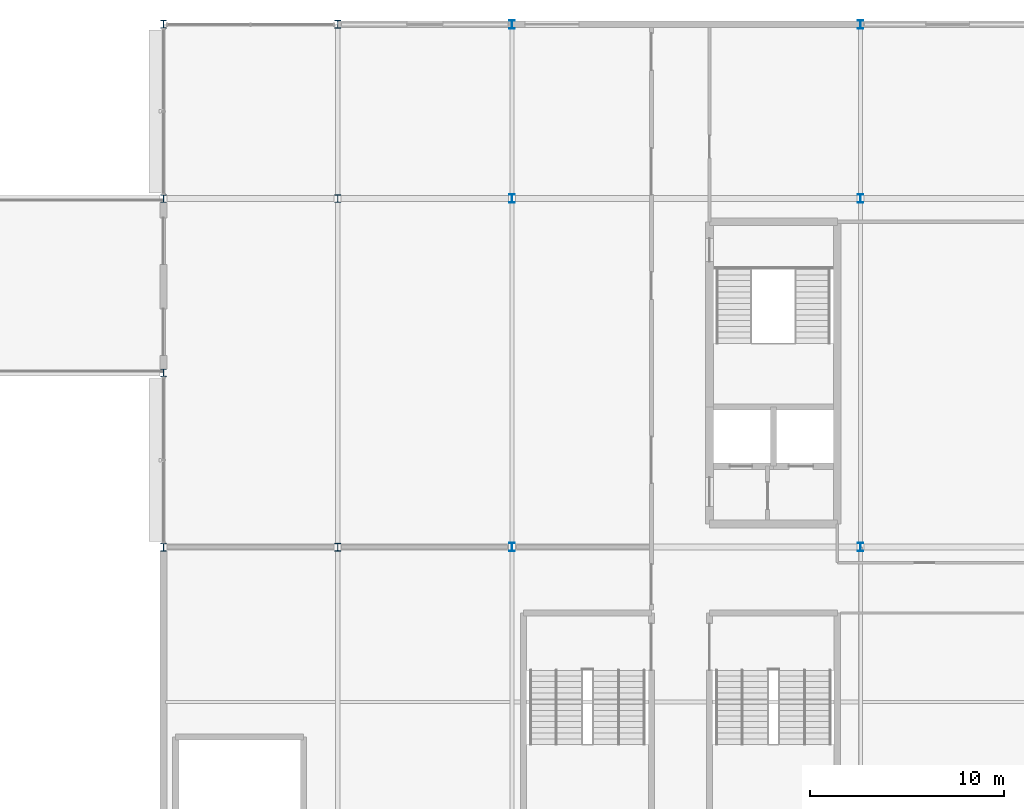
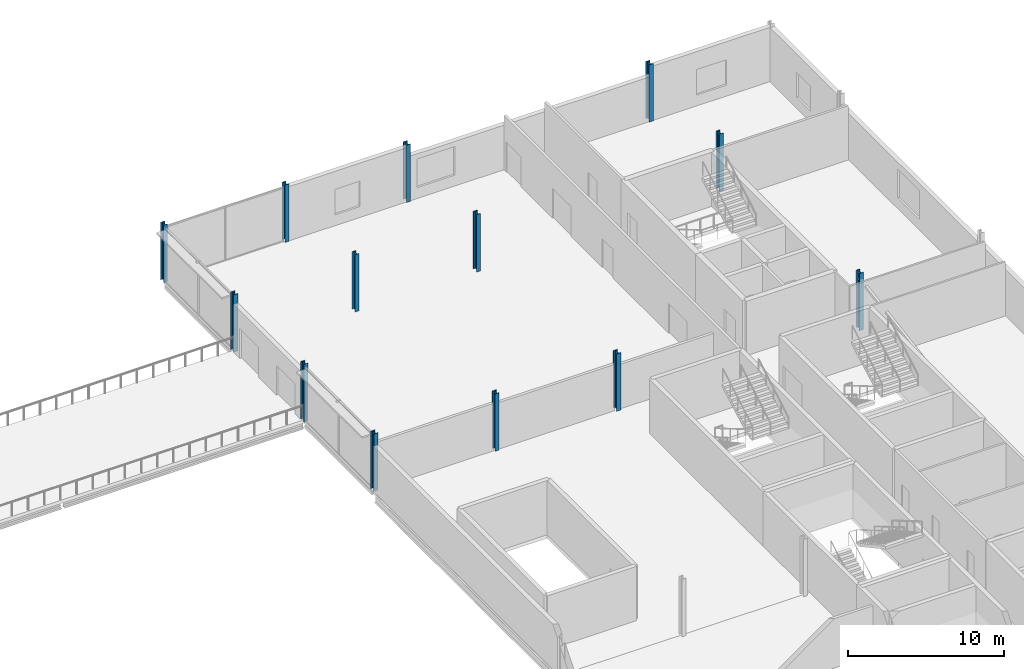
# One storey, part 12 of 73: 13 columns.
"""IFC4 building model written with IfcOpenShell, lengths in metres."""

from ifc_helpers import new_model, si_unit, direction, frame, origin, origin_2d, place, context, subcontext, project, spatial, i_section, extrude, material, material_profile, profile_set, type_object, element, save


model = new_model("IFC4")

# Units and contexts
model_context = context("Model", 3, precision=1e-05, world=origin(), true_north=direction((0.0, 1.0)))
body_context = subcontext(model_context, "Body", "Model", "MODEL_VIEW")
ifc_project = project(units=[si_unit("LENGTHUNIT", "METRE"), si_unit("AREAUNIT", "SQUARE_METRE"), si_unit("VOLUMEUNIT", "CUBIC_METRE"), si_unit("PLANEANGLEUNIT", "RADIAN"), si_unit("MASSUNIT", "GRAM", prefix="KILO")], contexts=[model_context])

# Site, building, storey
site_placement = place(None, origin())
site = spatial("IfcSite", under=ifc_project, at=site_placement, CompositionType="ELEMENT")
building_placement = place(site_placement, origin())
building = spatial("IfcBuilding", under=site, at=building_placement, Name="Kisiwana Market Hall", CompositionType="ELEMENT")
storey_placement = place(building_placement, frame((0.0, 0.0, 33.300048828125)))
storey = spatial("IfcBuildingStorey", under=building, at=storey_placement, Name="L07", CompositionType="ELEMENT", Elevation=33.300048828125)

# Columns
ifc_material_1 = material(Name="Steel S355", Category="steel")
ifc_material_profile_1 = material_profile(ifc_material_1, i_section(OverallWidth=0.300048828125, OverallDepth=0.39990234375, WebThickness=0.013427734375, FlangeThickness=0.02392578125, FilletRadius=0.027099609375, at=origin_2d()), Name="HEB 400")
ifc_profile_set_1 = profile_set([ifc_material_profile_1], Name="Steel S355")
column_type_1 = type_object("IfcColumnType", Name="COL-STL-HEB400", PredefinedType="COLUMN", material=ifc_profile_set_1)
for number, where, z_axis, x_axis, name in (
    (1, (153.0, 84.0, 0.0), (0.0, 0.0, 1.0), (1.0, 0.0, 0.0), "Column L/18 (L07) C-1120"),
    (2, (153.0, 93.0, 0.0), (0.0, 0.0, 1.0), (1.0, 0.0, 0.0), "Column M/18 (L07) C-1121"),
    (3, (153.0, 102.0, 0.0), (0.0, 0.0, 1.0), (1.0, 0.0, 0.0), "Column N/18 (L07) C-1122"),
    (4, (153.0, 111.0, 0.0), (0.0, 0.0, 1.0), (1.0, 0.0, 0.0), "Column P/18 (L07) C-1123"),
    (5, (162.0, 84.0, 0.0), (0.0, 0.0, 1.0), (1.0, 0.0, 0.0), "Column L/19 (L07) C-1127"),
    (6, (162.0, 102.0, 0.0), (0.0, 0.0, 1.0), (1.0, 0.0, 0.0), "Column N/19 (L07) C-1128"),
    (7, (162.0, 111.0, 0.0), (0.0, 0.0, 1.0), (1.0, 0.0, 0.0), "Column P/19 (L07) C-1129"),
):
    element("IfcColumn", number, at=place(storey_placement, frame(where, z_axis=z_axis, x_axis=x_axis)), inside=storey, type_object=column_type_1, Name=name, PredefinedType="COLUMN", context=body_context, shape_type="SweptSolid", body=[
        extrude(i_section(OverallWidth=0.300048828125, OverallDepth=0.39990234375, WebThickness=0.013427734375, FlangeThickness=0.02392578125, FilletRadius=0.027099609375, at=origin_2d()), origin(), (0.0, 0.0, 1.0), 4.5),
    ])
ifc_material_2 = material(Name="Steel S355", Category="steel")
ifc_material_profile_2 = material_profile(ifc_material_2, i_section(OverallWidth=0.300048828125, OverallDepth=0.449951171875, WebThickness=0.013916015625, FlangeThickness=0.02587890625, FilletRadius=0.027099609375, at=origin_2d()), Name="HEB 450")
ifc_profile_set_2 = profile_set([ifc_material_profile_2], Name="Steel S355")
column_type_2 = type_object("IfcColumnType", Name="COL-STL-HEB450", PredefinedType="COLUMN", material=ifc_profile_set_2)
for number, where, z_axis, x_axis, name in (
    (8, (171.0, 84.0, 0.0), (0.0, 0.0, 1.0), (1.0, 0.0, 0.0), "Column L/20 (L07) C-1134"),
    (9, (171.0, 102.0, 0.0), (0.0, 0.0, 1.0), (1.0, 0.0, 0.0), "Column N/20 (L07) C-1135"),
    (10, (171.0, 111.0, 0.0), (0.0, 0.0, 1.0), (1.0, 0.0, 0.0), "Column P/20 (L07) C-1136"),
    (11, (189.0, 84.0, 0.0), (0.0, 0.0, 1.0), (1.0, 0.0, 0.0), "Column L/22 (L07) C-1140"),
    (12, (189.0, 102.0, 0.0), (0.0, 0.0, 1.0), (1.0, 0.0, 0.0), "Column N/22 (L07) C-1141"),
    (13, (189.0, 111.0, 0.0), (0.0, 0.0, 1.0), (1.0, 0.0, 0.0), "Column P/22 (L07) C-1142"),
):
    element("IfcColumn", number, at=place(storey_placement, frame(where, z_axis=z_axis, x_axis=x_axis)), inside=storey, type_object=column_type_2, Name=name, PredefinedType="COLUMN", context=body_context, shape_type="SweptSolid", body=[
        extrude(i_section(OverallWidth=0.300048828125, OverallDepth=0.449951171875, WebThickness=0.013916015625, FlangeThickness=0.02587890625, FilletRadius=0.027099609375, at=origin_2d()), origin(), (0.0, 0.0, 1.0), 4.5),
    ])

save(model, "model.ifc")
